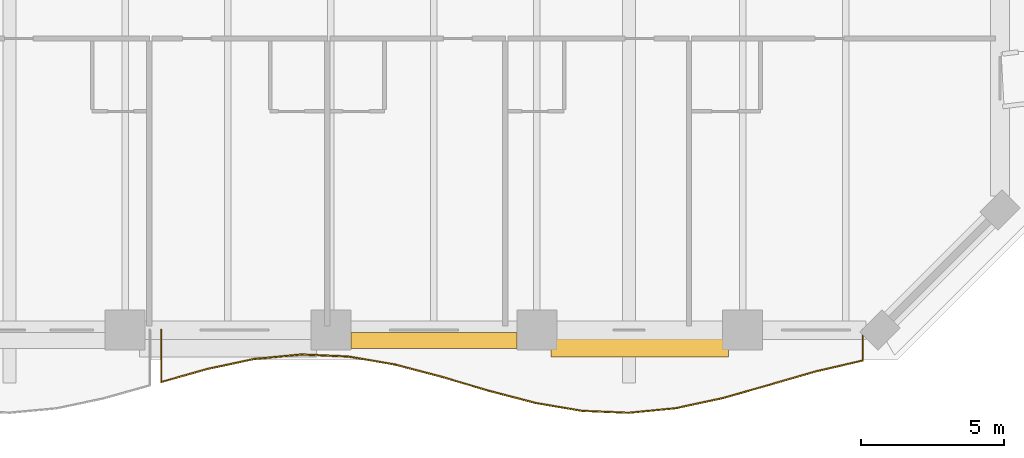
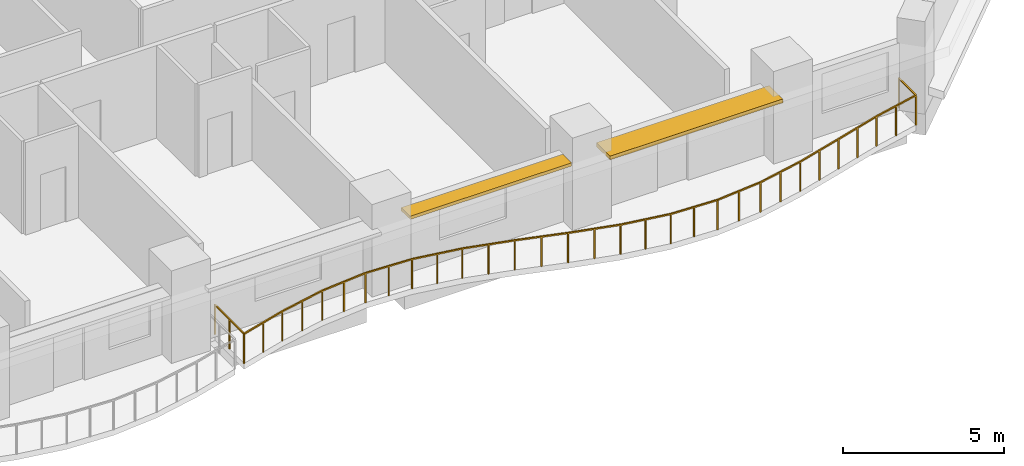
# One storey, part 14 of 15: 2 shading devices, 1 railing.
"""IFC4 building model written with IfcOpenShell, lengths in metres."""

from ifc_helpers import new_model, si_unit, direction, frame, origin, origin_2d, place, context, subcontext, project, spatial, rectangle, extrude, material, layer, layer_set, type_object, element, save


model = new_model("IFC4")

# Units and contexts
model_context = context("Model", 3, precision=1e-05, world=origin(), true_north=direction((0.0, 1.0)))
body_context = subcontext(model_context, "Body", "Model", "MODEL_VIEW")
ifc_project = project(units=[si_unit("LENGTHUNIT", "METRE"), si_unit("AREAUNIT", "SQUARE_METRE"), si_unit("VOLUMEUNIT", "CUBIC_METRE"), si_unit("PLANEANGLEUNIT", "RADIAN"), si_unit("MASSUNIT", "GRAM", prefix="KILO")], contexts=[model_context])

# Site, building, storey
site_placement = place(None, origin())
site = spatial("IfcSite", under=ifc_project, at=site_placement, CompositionType="ELEMENT")
building_placement = place(site_placement, origin())
building = spatial("IfcBuilding", under=site, at=building_placement, Name="Kaelvorn Grand Hotel", CompositionType="ELEMENT")
storey_placement = place(building_placement, frame((0.0, 0.0, 38.89990234375)))
storey = spatial("IfcBuildingStorey", under=building, at=storey_placement, Name="L07", CompositionType="ELEMENT", Elevation=38.89990234375)

# Railing
ifc_material_1 = material(Name="Stainless Steel", Category="steel")
railing_type = type_object("IfcRailingType", Name="RL-BALC-1150", PredefinedType="BALUSTRADE", material=ifc_material_1)
railing_placement = place(storey_placement, frame((54.666748046875, 0.0, 0.0)))
element("IfcRailing", 1, at=railing_placement, inside=storey, type_object=railing_type, Name="L07 Scalloped Wave Balcony Balustrade GR1-3", PredefinedType="BALUSTRADE", context=body_context, shape_type="SweptSolid", body=[
    extrude(rectangle(XDim=0.048095703125, YDim=0.048095703125, at=origin_2d()), frame((0.0, 0.0, 1.1259765625), z_axis=(0.0, -1.0, 0.0), x_axis=(1.0, 0.0, 0.0)), (0.0, 0.0, 1.0), 1.8193359375),
    extrude(rectangle(XDim=0.048095703125, YDim=0.048095703125, at=origin_2d()), frame((0.0, -1.8193359375, 1.1259765625), z_axis=(0.962241545122, 0.272197003733, 0.0), x_axis=(-0.272197003733, 0.962241545122, 0.0)), (0.0, 0.0, 1.0), 1.69970703125),
    extrude(rectangle(XDim=0.048095703125, YDim=0.048095703125, at=origin_2d()), frame((1.635498046875, -1.356689453125, 1.1259765625), z_axis=(0.978174805455, 0.207783661466, 0.0), x_axis=(-0.207783661466, 0.978174805455, 0.0)), (0.0, 0.0, 1.0), 1.671875),
    extrude(rectangle(XDim=0.048095703125, YDim=0.048095703125, at=origin_2d()), frame((3.27099609375, -1.00927734375, 1.1259765625), z_axis=(0.995523480824, 0.09451454453, 0.0), x_axis=(-0.09451454453, 0.995523480824, 0.0)), (0.0, 0.0, 1.0), 1.642822265625),
    extrude(rectangle(XDim=0.048095703125, YDim=0.048095703125, at=origin_2d()), frame((4.906494140625, -0.85400390625, 1.1259765625), z_axis=(0.999045154146, -0.043689586592, 0.0), x_axis=(0.043689586592, 0.999045154146, 0.0)), (0.0, 0.0, 1.0), 1.63720703125),
    extrude(rectangle(XDim=0.048095703125, YDim=0.048095703125, at=origin_2d()), frame((6.542236328125, -0.925537109375, 1.1259765625), z_axis=(0.985410815118, -0.170192612792, 0.0), x_axis=(0.170192612792, 0.985410815118, 0.0)), (0.0, 0.0, 1.0), 1.65966796875),
    extrude(rectangle(XDim=0.048095703125, YDim=0.048095703125, at=origin_2d()), frame((8.177734375, -1.2080078125, 1.1259765625), z_axis=(0.967035258154, -0.254642513119, 0.0), x_axis=(0.254642513119, 0.967035258154, 0.0)), (0.0, 0.0, 1.0), 1.691162109375),
    extrude(rectangle(XDim=0.048095703125, YDim=0.048095703125, at=origin_2d()), frame((9.813232421875, -1.638671875, 1.1259765625), z_axis=(0.959066322629, -0.283181547419, 0.0), x_axis=(0.283181547419, 0.959066322629, 0.0)), (0.0, 0.0, 1.0), 1.705322265625),
    extrude(rectangle(XDim=0.048095703125, YDim=0.048095703125, at=origin_2d()), frame((11.44873046875, -2.12158203125, 1.1259765625), z_axis=(0.967363797332, -0.253391561839, 0.0), x_axis=(0.253391561839, 0.967363797332, 0.0)), (0.0, 0.0, 1.0), 1.69091796875),
    extrude(rectangle(XDim=0.048095703125, YDim=0.048095703125, at=origin_2d()), frame((13.08447265625, -2.550048828125, 1.1259765625), z_axis=(0.985827384416, -0.167762832995, 0.0), x_axis=(0.167762832995, 0.985827384416, 0.0)), (0.0, 0.0, 1.0), 1.658935546875),
    extrude(rectangle(XDim=0.048095703125, YDim=0.048095703125, at=origin_2d()), frame((14.719970703125, -2.828369140625, 1.1259765625), z_axis=(0.9991706558, -0.040718553371, 0.0), x_axis=(0.040718553371, 0.9991706558, 0.0)), (0.0, 0.0, 1.0), 1.636962890625),
    extrude(rectangle(XDim=0.048095703125, YDim=0.048095703125, at=origin_2d()), frame((16.35546875, -2.89501953125, 1.1259765625), z_axis=(0.995253950263, 0.097311738681, 0.0), x_axis=(-0.097311738681, 0.995253950263, 0.0)), (0.0, 0.0, 1.0), 1.643310546875),
    extrude(rectangle(XDim=0.048095703125, YDim=0.048095703125, at=origin_2d()), frame((17.990966796875, -2.735107421875, 1.1259765625), z_axis=(0.977727596313, 0.209877934542, 0.0), x_axis=(-0.209877934542, 0.977727596313, 0.0)), (0.0, 0.0, 1.0), 1.6728515625),
    extrude(rectangle(XDim=0.048095703125, YDim=0.048095703125, at=origin_2d()), frame((19.62646484375, -2.384033203125, 1.1259765625), z_axis=(0.962026235743, 0.272956996141, 0.0), x_axis=(-0.272956996141, 0.962026235743, 0.0)), (0.0, 0.0, 1.0), 1.7001953125),
    extrude(rectangle(XDim=0.048095703125, YDim=0.048095703125, at=origin_2d()), frame((21.26220703125, -1.919921875, 1.1259765625), z_axis=(0.960494697942, 0.278298284625, 0.0), x_axis=(-0.278298284625, 0.960494697942, 0.0)), (0.0, 0.0, 1.0), 1.702880859375),
    extrude(rectangle(XDim=0.048095703125, YDim=0.048095703125, at=origin_2d()), frame((22.897705078125, -1.446044921875, 1.1259765625), z_axis=(0.974229174149, 0.225560449187, 0.0), x_axis=(-0.225560449187, 0.974229174149, 0.0)), (0.0, 0.0, 1.0), 1.6787109375),
    extrude(rectangle(XDim=0.048095703125, YDim=0.048095703125, at=origin_2d()), frame((24.533203125, -1.0673828125, 1.1259765625), z_axis=(0.0, 1.0, 0.0), x_axis=(-1.0, 0.0, 0.0)), (0.0, 0.0, 1.0), 1.0673828125),
    extrude(rectangle(XDim=0.0419921875, YDim=0.0419921875, at=origin_2d()), origin(), (0.0, 0.0, 1.0), 1.101806640625),
    extrude(rectangle(XDim=0.0419921875, YDim=0.0419921875, at=origin_2d()), frame((0.0, -0.90966796875, 0.0)), (0.0, 0.0, 1.0), 1.101806640625),
    extrude(rectangle(XDim=0.0419921875, YDim=0.0419921875, at=origin_2d()), frame((0.0, -1.8193359375, 0.0)), (0.0, 0.0, 1.0), 1.101806640625),
    extrude(rectangle(XDim=0.0419921875, YDim=0.0419921875, at=origin_2d()), frame((0.81787109375, -1.587890625, 0.0)), (0.0, 0.0, 1.0), 1.101806640625),
    extrude(rectangle(XDim=0.0419921875, YDim=0.0419921875, at=origin_2d()), frame((1.635498046875, -1.356689453125, 0.0)), (0.0, 0.0, 1.0), 1.101806640625),
    extrude(rectangle(XDim=0.0419921875, YDim=0.0419921875, at=origin_2d()), frame((2.453125, -1.18310546875, 0.0)), (0.0, 0.0, 1.0), 1.101806640625),
    extrude(rectangle(XDim=0.0419921875, YDim=0.0419921875, at=origin_2d()), frame((3.27099609375, -1.00927734375, 0.0)), (0.0, 0.0, 1.0), 1.101806640625),
    extrude(rectangle(XDim=0.0419921875, YDim=0.0419921875, at=origin_2d()), frame((4.0888671875, -0.931640625, 0.0)), (0.0, 0.0, 1.0), 1.101806640625),
    extrude(rectangle(XDim=0.0419921875, YDim=0.0419921875, at=origin_2d()), frame((4.906494140625, -0.85400390625, 0.0)), (0.0, 0.0, 1.0), 1.101806640625),
    extrude(rectangle(XDim=0.0419921875, YDim=0.0419921875, at=origin_2d()), frame((5.724365234375, -0.8896484375, 0.0)), (0.0, 0.0, 1.0), 1.101806640625),
    extrude(rectangle(XDim=0.0419921875, YDim=0.0419921875, at=origin_2d()), frame((6.542236328125, -0.925537109375, 0.0)), (0.0, 0.0, 1.0), 1.101806640625),
    extrude(rectangle(XDim=0.0419921875, YDim=0.0419921875, at=origin_2d()), frame((7.35986328125, -1.06689453125, 0.0)), (0.0, 0.0, 1.0), 1.101806640625),
    extrude(rectangle(XDim=0.0419921875, YDim=0.0419921875, at=origin_2d()), frame((8.177734375, -1.2080078125, 0.0)), (0.0, 0.0, 1.0), 1.101806640625),
    extrude(rectangle(XDim=0.0419921875, YDim=0.0419921875, at=origin_2d()), frame((8.99560546875, -1.42333984375, 0.0)), (0.0, 0.0, 1.0), 1.101806640625),
    extrude(rectangle(XDim=0.0419921875, YDim=0.0419921875, at=origin_2d()), frame((9.813232421875, -1.638671875, 0.0)), (0.0, 0.0, 1.0), 1.101806640625),
    extrude(rectangle(XDim=0.0419921875, YDim=0.0419921875, at=origin_2d()), frame((10.630859375, -1.880126953125, 0.0)), (0.0, 0.0, 1.0), 1.101806640625),
    extrude(rectangle(XDim=0.0419921875, YDim=0.0419921875, at=origin_2d()), frame((11.44873046875, -2.12158203125, 0.0)), (0.0, 0.0, 1.0), 1.101806640625),
    extrude(rectangle(XDim=0.0419921875, YDim=0.0419921875, at=origin_2d()), frame((12.2666015625, -2.3359375, 0.0)), (0.0, 0.0, 1.0), 1.101806640625),
    extrude(rectangle(XDim=0.0419921875, YDim=0.0419921875, at=origin_2d()), frame((13.08447265625, -2.550048828125, 0.0)), (0.0, 0.0, 1.0), 1.101806640625),
    extrude(rectangle(XDim=0.0419921875, YDim=0.0419921875, at=origin_2d()), frame((13.90234375, -2.689208984375, 0.0)), (0.0, 0.0, 1.0), 1.101806640625),
    extrude(rectangle(XDim=0.0419921875, YDim=0.0419921875, at=origin_2d()), frame((14.719970703125, -2.828369140625, 0.0)), (0.0, 0.0, 1.0), 1.101806640625),
    extrude(rectangle(XDim=0.0419921875, YDim=0.0419921875, at=origin_2d()), frame((15.53759765625, -2.86181640625, 0.0)), (0.0, 0.0, 1.0), 1.101806640625),
    extrude(rectangle(XDim=0.0419921875, YDim=0.0419921875, at=origin_2d()), frame((16.35546875, -2.89501953125, 0.0)), (0.0, 0.0, 1.0), 1.101806640625),
    extrude(rectangle(XDim=0.0419921875, YDim=0.0419921875, at=origin_2d()), frame((17.17333984375, -2.81494140625, 0.0)), (0.0, 0.0, 1.0), 1.101806640625),
    extrude(rectangle(XDim=0.0419921875, YDim=0.0419921875, at=origin_2d()), frame((17.990966796875, -2.735107421875, 0.0)), (0.0, 0.0, 1.0), 1.101806640625),
    extrude(rectangle(XDim=0.0419921875, YDim=0.0419921875, at=origin_2d()), frame((18.80859375, -2.5595703125, 0.0)), (0.0, 0.0, 1.0), 1.101806640625),
    extrude(rectangle(XDim=0.0419921875, YDim=0.0419921875, at=origin_2d()), frame((19.62646484375, -2.384033203125, 0.0)), (0.0, 0.0, 1.0), 1.101806640625),
    extrude(rectangle(XDim=0.0419921875, YDim=0.0419921875, at=origin_2d()), frame((20.4443359375, -2.15185546875, 0.0)), (0.0, 0.0, 1.0), 1.101806640625),
    extrude(rectangle(XDim=0.0419921875, YDim=0.0419921875, at=origin_2d()), frame((21.26220703125, -1.919921875, 0.0)), (0.0, 0.0, 1.0), 1.101806640625),
    extrude(rectangle(XDim=0.0419921875, YDim=0.0419921875, at=origin_2d()), frame((22.080078125, -1.68310546875, 0.0)), (0.0, 0.0, 1.0), 1.101806640625),
    extrude(rectangle(XDim=0.0419921875, YDim=0.0419921875, at=origin_2d()), frame((22.897705078125, -1.446044921875, 0.0)), (0.0, 0.0, 1.0), 1.101806640625),
    extrude(rectangle(XDim=0.0419921875, YDim=0.0419921875, at=origin_2d()), frame((23.71533203125, -1.2568359375, 0.0)), (0.0, 0.0, 1.0), 1.101806640625),
    extrude(rectangle(XDim=0.0419921875, YDim=0.0419921875, at=origin_2d()), frame((24.533203125, -1.0673828125, 0.0)), (0.0, 0.0, 1.0), 1.101806640625),
    extrude(rectangle(XDim=0.0419921875, YDim=0.0419921875, at=origin_2d()), frame((24.533203125, 0.0, 0.0)), (0.0, 0.0, 1.0), 1.101806640625),
])

# Shading devices
ifc_material_2 = material(Name="Precast concrete C45/55", Category="concrete")
ifc_layer_1 = layer(ifc_material_2, 0.1201171875)
ifc_layer_set_1 = layer_set([ifc_layer_1], Name="Precast concrete C45/55")
shading_device_type_1 = type_object("IfcShadingDeviceType", Name="SHD-SUNSHADE-550", PredefinedType="USERDEFINED", material=ifc_layer_set_1)
shading_device_1_placement = place(storey_placement, frame((64.199951171875, -0.364990234375, 2.419921875), z_axis=(0.0, 0.0, 1.0), x_axis=(1.0, 0.0, 0.0)))
element("IfcShadingDevice", 2, at=shading_device_1_placement, inside=storey, type_object=shading_device_type_1, Name="L07 Horizontal Concrete Sunshade Band SS-09", ObjectType="SUNSHADE", PredefinedType="USERDEFINED", context=body_context, shape_type="SweptSolid", body=[
    extrude(rectangle(XDim=5.800048828125, YDim=0.550048828125, at=origin_2d()), origin(), (0.0, 0.0, 1.0), 0.1201171875),
])
ifc_layer_2 = layer(ifc_material_2, 0.139892578125)
ifc_layer_set_2 = layer_set([ifc_layer_2], Name="Precast concrete C45/55")
shading_device_type_2 = type_object("IfcShadingDeviceType", Name="SHD-SUNSHADE-850", PredefinedType="USERDEFINED", material=ifc_layer_set_2)
shading_device_2_placement = place(storey_placement, frame((71.39990234375, -0.514892578125, 2.41015625), z_axis=(0.0, 0.0, 1.0), x_axis=(1.0, 0.0, 0.0)))
element("IfcShadingDevice", 3, at=shading_device_2_placement, inside=storey, type_object=shading_device_type_2, Name="L07 Horizontal Concrete Sunshade Band SS-10", ObjectType="SUNSHADE", PredefinedType="USERDEFINED", context=body_context, shape_type="SweptSolid", body=[
    extrude(rectangle(XDim=6.199951171875, YDim=0.85009765625, at=origin_2d()), origin(), (0.0, 0.0, 1.0), 0.139892578125),
])

save(model, "model.ifc")
